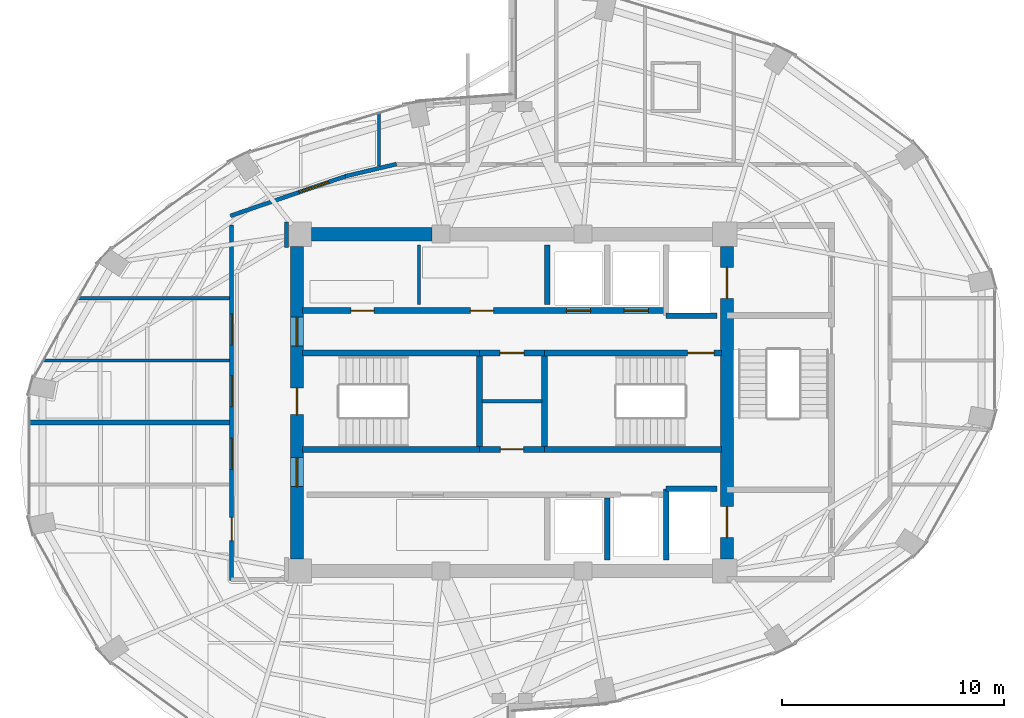
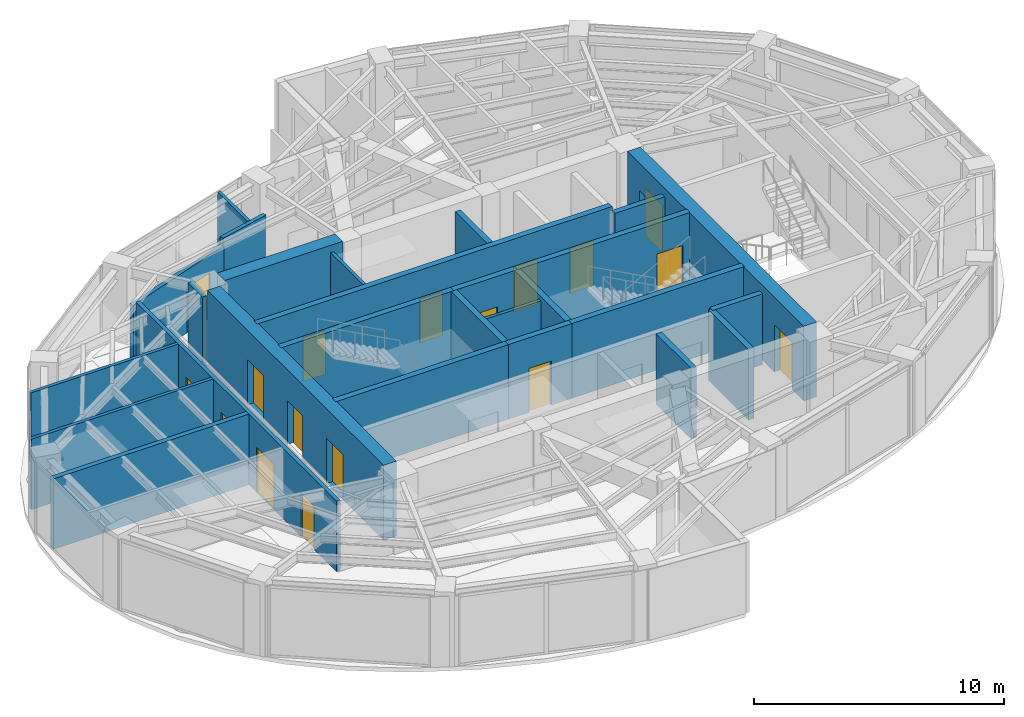
# One storey, part 19 of 23: 27 walls, 17 doors, 17 openings.
"""IFC4 building model written with IfcOpenShell, lengths in metres."""

from ifc_helpers import new_model, si_unit, direction, frame, frame_2d, origin, place, context, subcontext, project, spatial, rectangle, extrude, material, layer, layer_set, type_object, element, fill, save


model = new_model("IFC4")

# Units and contexts
model_context = context("Model", 3, precision=1e-05, world=origin(), true_north=direction((0.0, 1.0)))
body_context = subcontext(model_context, "Body", "Model", "MODEL_VIEW")
ifc_project = project(units=[si_unit("LENGTHUNIT", "METRE"), si_unit("AREAUNIT", "SQUARE_METRE"), si_unit("VOLUMEUNIT", "CUBIC_METRE"), si_unit("PLANEANGLEUNIT", "RADIAN"), si_unit("MASSUNIT", "GRAM", prefix="KILO")], contexts=[model_context])

# Site, building, storey
site_placement = place(None, origin())
site = spatial("IfcSite", under=ifc_project, at=site_placement, CompositionType="ELEMENT")
building_placement = place(site_placement, origin())
building = spatial("IfcBuilding", under=site, at=building_placement, Name="Lazwardi Medical Tower", CompositionType="ELEMENT")
storey_placement = place(building_placement, frame((0.0, 0.0, 202.1279296875)))
storey = spatial("IfcBuildingStorey", under=building, at=storey_placement, Name="L52", CompositionType="ELEMENT", Elevation=202.1279296875)

# Wall, opening, door
ifc_material_1 = material(Name="Fire-rated gypsum board on steel stud", Category="steel")
ifc_layer_1 = layer(ifc_material_1, 0.179931640625)
ifc_layer_set_1 = layer_set([ifc_layer_1], Name="Fire-rated gypsum board on steel stud")
wall_type_1 = type_object("IfcWallType", Name="WL-COR-180", PredefinedType="PARTITIONING", material=ifc_layer_set_1)
wall_1_placement = place(storey_placement, frame((23.294189453125, 36.422119140625, 0.0), z_axis=(0.0, 0.0, 1.0), x_axis=(0.945493277461, 0.325641616316, 0.0)))
wall_1 = element("IfcWall", 1, at=wall_1_placement, inside=storey, type_object=wall_type_1, Name="L52 Corridor partition 1", PredefinedType="PARTITIONING", context=body_context, shape_type="SweptSolid", body=[
    extrude(rectangle(XDim=5.5615234375, YDim=0.179931640625, at=frame_2d((2.78076171875, 0.0))), origin(), (0.0, 0.0, 1.0), 3.072998046875),
])
opening_1_placement = place(wall_1_placement, frame((3.28076171875, 0.0, 0.0)))
opening_1 = element("IfcOpeningElement", 2, at=opening_1_placement, cuts=wall_1, Name="Opening D-L52-021", PredefinedType="OPENING", context=body_context, shape_type="SweptSolid", body=[
    extrude(rectangle(XDim=1.39990234375, YDim=2.199951171875, at=frame_2d((0.699951171875, 1.10009765625))), frame((0.0, 0.099853515625, 0.0), z_axis=(0.0, -1.0, 0.0), x_axis=(1.0, 0.0, 0.0)), (0.0, 0.0, 1.0), 0.199951171875),
])
ifc_material_2 = material(Name="Anti-microbial laminate hospital leaf")
door_type_1 = type_object("IfcDoorType", Name="DR-BED-1400", OperationType="NOTDEFINED", PredefinedType="DOOR", material=ifc_material_2)
door_1_placement = place(opening_1_placement, origin())
door_1 = element("IfcDoor", 3, at=door_1_placement, inside=storey, type_object=door_type_1, Name="L52 Patient Bedroom Door 11", OperationType="SINGLE_SWING_LEFT", OverallHeight=2.199951171875, OverallWidth=1.39990234375, PredefinedType="DOOR", context=body_context, shape_type="SweptSolid", body=[
    extrude(rectangle(XDim=1.39990234375, YDim=2.199951171875, at=frame_2d((0.699951171875, 1.10009765625))), frame((0.0, 0.02490234375, 0.0), z_axis=(0.0, -1.0, 0.0), x_axis=(1.0, 0.0, 0.0)), (0.0, 0.0, 1.0), 0.050048828125),
])
fill(opening_1, door_1)

# Walls
wall_2_placement = place(storey_placement, frame((28.475830078125, 38.2109375, 0.0), z_axis=(0.0, 0.0, 1.0), x_axis=(0.973030562203, 0.230676234189, 0.0)))
element("IfcWall", 4, at=wall_2_placement, inside=storey, type_object=wall_type_1, Name="L52 Corridor partition 2", PredefinedType="PARTITIONING", context=body_context, shape_type="SweptSolid", body=[
    extrude(rectangle(XDim=2.377197265625, YDim=0.179931640625, at=frame_2d((1.1884765625, 0.0))), origin(), (0.0, 0.0, 1.0), 3.447998046875),
])
wall_3_placement = place(storey_placement, frame((25.830078125, 36.139892578125, 0.0), z_axis=(0.0, 0.0, 1.0), x_axis=(0.0, -1.0, 0.0)))
element("IfcWall", 5, at=wall_3_placement, inside=storey, type_object=wall_type_1, Name="L52 Corridor partition 7", PredefinedType="PARTITIONING", context=body_context, shape_type="SweptSolid", body=[
    extrude(rectangle(XDim=1.14990234375, YDim=0.179931640625, at=frame_2d((0.574951171875, 0.0))), origin(), (0.0, 0.0, 1.0), 3.447998046875),
])

# Wall, openings, doors
wall_4_placement = place(storey_placement, frame((23.35009765625, 19.97998046875, 0.0), z_axis=(0.0, 0.0, 1.0), x_axis=(0.0, 1.0, 0.0)))
wall_4 = element("IfcWall", 6, at=wall_4_placement, inside=storey, type_object=wall_type_1, Name="L52 Corridor partition 10", PredefinedType="PARTITIONING", context=body_context, shape_type="SweptSolid", body=[
    extrude(rectangle(XDim=16.04248046875, YDim=0.179931640625, at=frame_2d((8.021240234375, 0.0))), origin(), (0.0, 0.0, 1.0), 3.447998046875),
])
opening_2_placement = place(wall_4_placement, frame((5.00244140625, 0.0, 0.0)))
opening_2 = element("IfcOpeningElement", 7, at=opening_2_placement, cuts=wall_4, Name="Opening D-L52-011", PredefinedType="OPENING", context=body_context, shape_type="SweptSolid", body=[
    extrude(rectangle(XDim=1.39990234375, YDim=2.199951171875, at=frame_2d((0.699951171875, 1.10009765625))), frame((0.0, 0.099853515625, 0.0), z_axis=(0.0, -1.0, 0.0), x_axis=(1.0, 0.0, 0.0)), (0.0, 0.0, 1.0), 0.199951171875),
])
opening_3_placement = place(wall_4_placement, frame((1.7939453125, 0.0, 0.0)))
opening_3 = element("IfcOpeningElement", 8, at=opening_3_placement, cuts=wall_4, Name="Opening D-L52-012", PredefinedType="OPENING", context=body_context, shape_type="SweptSolid", body=[
    extrude(rectangle(XDim=1.050048828125, YDim=2.14990234375, at=frame_2d((0.52490234375, 1.074951171875))), frame((0.0, 0.099853515625, 0.0), z_axis=(0.0, -1.0, 0.0), x_axis=(1.0, 0.0, 0.0)), (0.0, 0.0, 1.0), 0.199951171875),
])
opening_4_placement = place(wall_4_placement, frame((10.6201171875, 0.0, 0.0)))
opening_4 = element("IfcOpeningElement", 9, at=opening_4_placement, cuts=wall_4, Name="Opening D-L52-022", PredefinedType="OPENING", context=body_context, shape_type="SweptSolid", body=[
    extrude(rectangle(XDim=1.39990234375, YDim=2.199951171875, at=frame_2d((0.699951171875, 1.10009765625))), frame((0.0, 0.099853515625, 0.0), z_axis=(0.0, -1.0, 0.0), x_axis=(1.0, 0.0, 0.0)), (0.0, 0.0, 1.0), 0.199951171875),
])
opening_5_placement = place(wall_4_placement, frame((7.83740234375, 0.0, 0.0)))
opening_5 = element("IfcOpeningElement", 10, at=opening_5_placement, cuts=wall_4, Name="Opening D-L52-023", PredefinedType="OPENING", context=body_context, shape_type="SweptSolid", body=[
    extrude(rectangle(XDim=1.39990234375, YDim=2.199951171875, at=frame_2d((0.699951171875, 1.10009765625))), frame((0.0, 0.099853515625, 0.0), z_axis=(0.0, -1.0, 0.0), x_axis=(1.0, 0.0, 0.0)), (0.0, 0.0, 1.0), 0.199951171875),
])
door_2_placement = place(opening_2_placement, origin())
door_2 = element("IfcDoor", 11, at=door_2_placement, inside=storey, type_object=door_type_1, Name="L52 Inpatient Ward Door 01", OperationType="SINGLE_SWING_RIGHT", OverallHeight=2.199951171875, OverallWidth=1.39990234375, PredefinedType="DOOR", context=body_context, shape_type="SweptSolid", body=[
    extrude(rectangle(XDim=1.39990234375, YDim=2.199951171875, at=frame_2d((0.699951171875, 1.10009765625))), frame((0.0, 0.02490234375, 0.0), z_axis=(0.0, -1.0, 0.0), x_axis=(1.0, 0.0, 0.0)), (0.0, 0.0, 1.0), 0.050048828125),
])
fill(opening_2, door_2)
door_3_placement = place(opening_4_placement, origin())
door_3 = element("IfcDoor", 12, at=door_3_placement, inside=storey, type_object=door_type_1, Name="L52 Outpatient Clinic Door 12", OperationType="SINGLE_SWING_RIGHT", OverallHeight=2.199951171875, OverallWidth=1.39990234375, PredefinedType="DOOR", context=body_context, shape_type="SweptSolid", body=[
    extrude(rectangle(XDim=1.39990234375, YDim=2.199951171875, at=frame_2d((0.699951171875, 1.10009765625))), frame((0.0, 0.02490234375, 0.0), z_axis=(0.0, -1.0, 0.0), x_axis=(1.0, 0.0, 0.0)), (0.0, 0.0, 1.0), 0.050048828125),
])
fill(opening_4, door_3)
door_4_placement = place(opening_5_placement, origin())
door_4 = element("IfcDoor", 13, at=door_4_placement, inside=storey, type_object=door_type_1, Name="L52 Outpatient Clinic Door 13", OperationType="SINGLE_SWING_LEFT", OverallHeight=2.199951171875, OverallWidth=1.39990234375, PredefinedType="DOOR", context=body_context, shape_type="SweptSolid", body=[
    extrude(rectangle(XDim=1.39990234375, YDim=2.199951171875, at=frame_2d((0.699951171875, 1.10009765625))), frame((0.0, 0.02490234375, 0.0), z_axis=(0.0, -1.0, 0.0), x_axis=(1.0, 0.0, 0.0)), (0.0, 0.0, 1.0), 0.050048828125),
])
fill(opening_5, door_4)
door_type_2 = type_object("IfcDoorType", Name="DR-CLN-1050", OperationType="NOTDEFINED", PredefinedType="DOOR", material=ifc_material_2)
door_5_placement = place(opening_3_placement, origin())
door_5 = element("IfcDoor", 14, at=door_5_placement, inside=storey, type_object=door_type_2, Name="L52 Clinical Specialist Office Door 02", OperationType="SINGLE_SWING_LEFT", OverallHeight=2.14990234375, OverallWidth=1.050048828125, PredefinedType="DOOR", context=body_context, shape_type="SweptSolid", body=[
    extrude(rectangle(XDim=1.050048828125, YDim=2.14990234375, at=frame_2d((0.52490234375, 1.074951171875))), frame((0.0, 0.02490234375, 0.0), z_axis=(0.0, -1.0, 0.0), x_axis=(1.0, 0.0, 0.0)), (0.0, 0.0, 1.0), 0.050048828125),
])
fill(opening_3, door_5)

ifc_material_3 = material(Name="Concrete C60/75", Category="concrete")
ifc_layer_2 = layer(ifc_material_3, 0.60009765625)
ifc_layer_set_2 = layer_set([ifc_layer_2], Name="Concrete C60/75")
wall_type_2 = type_object("IfcWallType", Name="WL-CORE-600", PredefinedType="SHEAR", material=ifc_layer_set_2)
wall_5_placement = place(storey_placement, frame((26.300048828125, 20.949951171875, 0.0), z_axis=(0.0, 0.0, 1.0), x_axis=(0.0, 1.0, 0.0)))
wall_5 = element("IfcWall", 15, at=wall_5_placement, inside=storey, type_object=wall_type_2, Name="Core wall CW-S3 west L52", PredefinedType="SHEAR", context=body_context, shape_type="SweptSolid", body=[
    extrude(rectangle(XDim=14.10009765625, YDim=0.60009765625, at=frame_2d((7.050048828125, 0.0))), origin(), (0.0, 0.0, 1.0), 3.64794921875),
])
opening_6_placement = place(wall_5_placement, frame((6.5, 0.0, 0.0)))
opening_6 = element("IfcOpeningElement", 16, at=opening_6_placement, cuts=wall_5, Name="Opening D-L52-024", PredefinedType="OPENING", context=body_context, shape_type="SweptSolid", body=[
    extrude(rectangle(XDim=1.199951171875, YDim=2.14990234375, at=frame_2d((0.60009765625, 1.074951171875))), frame((0.0, 0.31005859375, 0.0), z_axis=(0.0, -1.0, 0.0), x_axis=(1.0, 0.0, 0.0)), (0.0, 0.0, 1.0), 0.6201171875),
])
opening_7_placement = place(wall_5_placement, frame((9.60009765625, 0.0, 0.0)))
opening_7 = element("IfcOpeningElement", 17, at=opening_7_placement, cuts=wall_5, Name="Opening D-L52-009", PredefinedType="OPENING", context=body_context, shape_type="SweptSolid", body=[
    extrude(rectangle(XDim=1.300048828125, YDim=2.199951171875, at=frame_2d((0.64990234375, 1.10009765625))), frame((0.0, 0.31005859375, 0.0), z_axis=(0.0, -1.0, 0.0), x_axis=(1.0, 0.0, 0.0)), (0.0, 0.0, 1.0), 0.6201171875),
])
opening_8_placement = place(wall_5_placement, frame((3.260009765625, 0.0, 0.0)))
opening_8 = element("IfcOpeningElement", 18, at=opening_8_placement, cuts=wall_5, Name="Opening D-L52-010", PredefinedType="OPENING", context=body_context, shape_type="SweptSolid", body=[
    extrude(rectangle(XDim=1.300048828125, YDim=2.199951171875, at=frame_2d((0.64990234375, 1.10009765625))), frame((0.0, 0.31005859375, 0.0), z_axis=(0.0, -1.0, 0.0), x_axis=(1.0, 0.0, 0.0)), (0.0, 0.0, 1.0), 0.6201171875),
])
ifc_material_4 = material(Name="Fire-rated steel leaf and frame", Category="steel")
door_type_3 = type_object("IfcDoorType", Name="DR-FFL-1300", OperationType="NOTDEFINED", PredefinedType="DOOR", material=ifc_material_4)
door_6_placement = place(opening_7_placement, origin())
door_6 = element("IfcDoor", 19, at=door_6_placement, inside=storey, type_object=door_type_3, Name="L52 North Lift Lobby Door", OperationType="SINGLE_SWING_RIGHT", OverallHeight=2.199951171875, OverallWidth=1.300048828125, PredefinedType="DOOR", context=body_context, shape_type="SweptSolid", body=[
    extrude(rectangle(XDim=1.300048828125, YDim=2.199951171875, at=frame_2d((0.64990234375, 1.10009765625))), frame((0.0, 0.02490234375, 0.0), z_axis=(0.0, -1.0, 0.0), x_axis=(1.0, 0.0, 0.0)), (0.0, 0.0, 1.0), 0.050048828125),
])
fill(opening_7, door_6)
door_7_placement = place(opening_8_placement, origin())
door_7 = element("IfcDoor", 20, at=door_7_placement, inside=storey, type_object=door_type_3, Name="L52 South Lift Lobby Door", OperationType="SINGLE_SWING_LEFT", OverallHeight=2.199951171875, OverallWidth=1.300048828125, PredefinedType="DOOR", context=body_context, shape_type="SweptSolid", body=[
    extrude(rectangle(XDim=1.300048828125, YDim=2.199951171875, at=frame_2d((0.64990234375, 1.10009765625))), frame((0.0, 0.02490234375, 0.0), z_axis=(0.0, -1.0, 0.0), x_axis=(1.0, 0.0, 0.0)), (0.0, 0.0, 1.0), 0.050048828125),
])
fill(opening_8, door_7)
door_type_4 = type_object("IfcDoorType", Name="DR-STR-1200", OperationType="NOTDEFINED", PredefinedType="DOOR", material=ifc_material_4)
door_8_placement = place(opening_6_placement, origin())
door_8 = element("IfcDoor", 21, at=door_8_placement, inside=storey, type_object=door_type_4, Name="L52 Exit Stair ST1 Door", OperationType="SINGLE_SWING_RIGHT", OverallHeight=2.14990234375, OverallWidth=1.199951171875, PredefinedType="DOOR", context=body_context, shape_type="SweptSolid", body=[
    extrude(rectangle(XDim=1.199951171875, YDim=2.14990234375, at=frame_2d((0.60009765625, 1.074951171875))), frame((0.0, 0.02490234375, 0.0), z_axis=(0.0, -1.0, 0.0), x_axis=(1.0, 0.0, 0.0)), (0.0, 0.0, 1.0), 0.050048828125),
])
fill(opening_6, door_8)

wall_6_placement = place(storey_placement, frame((45.699951171875, 20.949951171875, 0.0), z_axis=(0.0, 0.0, 1.0), x_axis=(0.0, 1.0, 0.0)))
wall_6 = element("IfcWall", 22, at=wall_6_placement, inside=storey, type_object=wall_type_2, Name="Core wall CW-S3 east L52", PredefinedType="SHEAR", context=body_context, shape_type="SweptSolid", body=[
    extrude(rectangle(XDim=14.10009765625, YDim=0.60009765625, at=frame_2d((7.050048828125, 0.0))), origin(), (0.0, 0.0, 1.0), 3.64794921875),
])
opening_9_placement = place(wall_6_placement, frame((11.75, 0.0, 0.0)))
opening_9 = element("IfcOpeningElement", 23, at=opening_9_placement, cuts=wall_6, Name="Opening LD-L52-001", PredefinedType="OPENING", context=body_context, shape_type="SweptSolid", body=[
    extrude(rectangle(XDim=1.39990234375, YDim=2.300048828125, at=frame_2d((0.699951171875, 1.14990234375))), frame((0.0, 0.31005859375, 0.0), z_axis=(0.0, -1.0, 0.0), x_axis=(1.0, 0.0, 0.0)), (0.0, 0.0, 1.0), 0.6201171875),
])
opening_10_placement = place(wall_6_placement, frame((0.949951171875, 0.0, 0.0)))
opening_10 = element("IfcOpeningElement", 24, at=opening_10_placement, cuts=wall_6, Name="Opening LD-L52-002", PredefinedType="OPENING", context=body_context, shape_type="SweptSolid", body=[
    extrude(rectangle(XDim=1.39990234375, YDim=2.300048828125, at=frame_2d((0.699951171875, 1.14990234375))), frame((0.0, 0.31005859375, 0.0), z_axis=(0.0, -1.0, 0.0), x_axis=(1.0, 0.0, 0.0)), (0.0, 0.0, 1.0), 0.6201171875),
])
ifc_material_5 = material(Name="Brushed stainless steel bed-lift landing door", Category="steel")
door_type_5 = type_object("IfcDoorType", Name="DR-LFT-1400", OperationType="NOTDEFINED", PredefinedType="DOOR", material=ifc_material_5)
door_9_placement = place(opening_9_placement, origin())
door_9 = element("IfcDoor", 25, at=door_9_placement, inside=storey, type_object=door_type_5, Name="L52 Lift Landing Door FL-01", OperationType="SLIDING_TO_LEFT", OverallHeight=2.300048828125, OverallWidth=1.39990234375, PredefinedType="DOOR", context=body_context, shape_type="SweptSolid", body=[
    extrude(rectangle(XDim=1.39990234375, YDim=2.300048828125, at=frame_2d((0.699951171875, 1.14990234375))), frame((0.0, 0.02490234375, 0.0), z_axis=(0.0, -1.0, 0.0), x_axis=(1.0, 0.0, 0.0)), (0.0, 0.0, 1.0), 0.050048828125),
])
fill(opening_9, door_9)
door_10_placement = place(opening_10_placement, origin())
door_10 = element("IfcDoor", 26, at=door_10_placement, inside=storey, type_object=door_type_5, Name="L52 Lift Landing Door FL-02", OperationType="SLIDING_TO_LEFT", OverallHeight=2.300048828125, OverallWidth=1.39990234375, PredefinedType="DOOR", context=body_context, shape_type="SweptSolid", body=[
    extrude(rectangle(XDim=1.39990234375, YDim=2.300048828125, at=frame_2d((0.699951171875, 1.14990234375))), frame((0.0, 0.02490234375, 0.0), z_axis=(0.0, -1.0, 0.0), x_axis=(1.0, 0.0, 0.0)), (0.0, 0.0, 1.0), 0.050048828125),
])
fill(opening_10, door_10)

# Walls
wall_7_placement = place(storey_placement, frame((26.949951171875, 35.60009765625, 0.0), z_axis=(0.0, 0.0, 1.0), x_axis=(1.0, 0.0, 0.0)))
element("IfcWall", 27, at=wall_7_placement, inside=storey, type_object=wall_type_2, Name="Core wall CW-S3 N1 L52", PredefinedType="SHEAR", context=body_context, shape_type="SweptSolid", body=[
    extrude(rectangle(XDim=5.449951171875, YDim=0.60009765625, at=frame_2d((2.72509765625, 0.0))), origin(), (0.0, 0.0, 1.0), 3.64794921875),
])
ifc_material_6 = material(Name="Autoclaved aerated concrete blockwork", Category="masonry")
ifc_layer_3 = layer(ifc_material_6, 0.25)
ifc_layer_set_3 = layer_set([ifc_layer_3], Name="Autoclaved aerated concrete blockwork")
wall_type_3 = type_object("IfcWallType", Name="WL-SHAFT-250", PredefinedType="SOLIDWALL", material=ifc_layer_set_3)
wall_8_placement = place(storey_placement, frame((42.949951171875, 31.919921875, 0.0), z_axis=(0.0, 0.0, 1.0), x_axis=(1.0, 0.0, 0.0)))
element("IfcWall", 28, at=wall_8_placement, inside=storey, type_object=wall_type_3, Name="L52 FL-01 South shaft wall", PredefinedType="SOLIDWALL", context=body_context, shape_type="SweptSolid", body=[
    extrude(rectangle(XDim=2.300048828125, YDim=0.25, at=frame_2d((1.14990234375, 0.0))), origin(), (0.0, 0.0, 1.0), 3.447998046875),
])
wall_9_placement = place(storey_placement, frame((42.949951171875, 20.89990234375, 0.0), z_axis=(0.0, 0.0, 1.0), x_axis=(0.0, 1.0, 0.0)))
element("IfcWall", 29, at=wall_9_placement, inside=storey, type_object=wall_type_3, Name="L52 FL-02 West shaft wall", PredefinedType="SOLIDWALL", context=body_context, shape_type="SweptSolid", body=[
    extrude(rectangle(XDim=3.2001953125, YDim=0.25, at=frame_2d((1.60009765625, 0.0))), origin(), (0.0, 0.0, 1.0), 3.447998046875),
])
wall_10_placement = place(storey_placement, frame((42.949951171875, 24.10009765625, 0.0), z_axis=(0.0, 0.0, 1.0), x_axis=(1.0, 0.0, 0.0)))
element("IfcWall", 30, at=wall_10_placement, inside=storey, type_object=wall_type_3, Name="L52 FL-02 North shaft wall", PredefinedType="SOLIDWALL", context=body_context, shape_type="SweptSolid", body=[
    extrude(rectangle(XDim=2.300048828125, YDim=0.25, at=frame_2d((1.14990234375, 0.0))), origin(), (0.0, 0.0, 1.0), 3.447998046875),
])
wall_11_placement = place(storey_placement, frame((37.60009765625, 32.419921875, 0.0), z_axis=(0.0, 0.0, 1.0), x_axis=(0.0, 1.0, 0.0)))
element("IfcWall", 31, at=wall_11_placement, inside=storey, type_object=wall_type_3, Name="L52 North hoistway divider", PredefinedType="SOLIDWALL", context=body_context, shape_type="SweptSolid", body=[
    extrude(rectangle(XDim=2.68017578125, YDim=0.25, at=frame_2d((1.340087890625, 0.0))), origin(), (0.0, 0.0, 1.0), 3.447998046875),
])
wall_12_placement = place(storey_placement, frame((40.300048828125, 20.89990234375, 0.0), z_axis=(0.0, 0.0, 1.0), x_axis=(0.0, 1.0, 0.0)))
element("IfcWall", 32, at=wall_12_placement, inside=storey, type_object=wall_type_3, Name="L52 South hoistway divider", PredefinedType="SOLIDWALL", context=body_context, shape_type="SweptSolid", body=[
    extrude(rectangle(XDim=2.800048828125, YDim=0.25, at=frame_2d((1.39990234375, 0.0))), origin(), (0.0, 0.0, 1.0), 3.447998046875),
])
ifc_layer_4 = layer(ifc_material_1, 0.219970703125)
ifc_layer_set_4 = layer_set([ifc_layer_4], Name="Fire-rated gypsum board on steel stud")
wall_type_4 = type_object("IfcWallType", Name="WL-SMK-220", PredefinedType="PARTITIONING", material=ifc_layer_set_4)
wall_13_placement = place(storey_placement, frame((14.228271484375, 27.10009765625, 0.0), z_axis=(0.0, 0.0, 1.0), x_axis=(1.0, 0.0, 0.0)))
element("IfcWall", 33, at=wall_13_placement, inside=storey, type_object=wall_type_4, Name="L52 Room partition 2", PredefinedType="PARTITIONING", context=body_context, shape_type="SweptSolid", body=[
    extrude(rectangle(XDim=9.03173828125, YDim=0.219970703125, at=frame_2d((4.515869140625, 0.0))), origin(), (0.0, 0.0, 1.0), 3.447998046875),
])
ifc_material_7 = material(Name="Concrete C50/60", Category="concrete")
ifc_layer_5 = layer(ifc_material_7, 0.27001953125)
ifc_layer_set_5 = layer_set([ifc_layer_5], Name="Concrete C50/60")
wall_type_5 = type_object("IfcWallType", Name="WL-STR-250", PredefinedType="SHEAR", material=ifc_layer_set_5)
wall_14_placement = place(storey_placement, frame((26.550048828125, 30.235107421875, 0.0), z_axis=(0.0, 0.0, 1.0), x_axis=(1.0, 0.0, 0.0)))
element("IfcWall", 34, at=wall_14_placement, inside=storey, type_object=wall_type_5, Name="L52 ST1 North shear shaft wall SW-S1", PredefinedType="SHEAR", context=body_context, shape_type="SweptSolid", body=[
    extrude(rectangle(XDim=7.98486328125, YDim=0.27001953125, at=frame_2d((3.992431640625, 0.0))), origin(), (0.0, 0.0, 1.0), 3.64794921875),
])

# Wall, opening, door
wall_15_placement = place(storey_placement, frame((34.534912109375, 30.235107421875, 0.0), z_axis=(0.0, 0.0, 1.0), x_axis=(1.0, 0.0, 0.0)))
wall_15 = element("IfcWall", 35, at=wall_15_placement, inside=storey, type_object=wall_type_5, Name="L52 Core service North shear wall SW-S1", PredefinedType="SHEAR", context=body_context, shape_type="SweptSolid", body=[
    extrude(rectangle(XDim=2.93017578125, YDim=0.27001953125, at=frame_2d((1.465087890625, 0.0))), origin(), (0.0, 0.0, 1.0), 3.64794921875),
])
opening_11_placement = place(wall_15_placement, frame((0.9150390625, 0.0, 0.0)))
opening_11 = element("IfcOpeningElement", 36, at=opening_11_placement, cuts=wall_15, Name="Opening D-L52-002", PredefinedType="OPENING", context=body_context, shape_type="SweptSolid", body=[
    extrude(rectangle(XDim=1.10009765625, YDim=2.14990234375, at=frame_2d((0.550048828125, 1.074951171875))), frame((0.0, 0.14501953125, 0.0), z_axis=(0.0, -1.0, 0.0), x_axis=(1.0, 0.0, 0.0)), (0.0, 0.0, 1.0), 0.2900390625),
])
door_type_6 = type_object("IfcDoorType", Name="DR-PLT-1100", OperationType="NOTDEFINED", PredefinedType="DOOR", material=ifc_material_4)
door_11_placement = place(opening_11_placement, origin())
door_11 = element("IfcDoor", 37, at=door_11_placement, inside=storey, type_object=door_type_6, Name="L52 Electrical Room Door", OperationType="SINGLE_SWING_LEFT", OverallHeight=2.14990234375, OverallWidth=1.10009765625, PredefinedType="DOOR", context=body_context, shape_type="SweptSolid", body=[
    extrude(rectangle(XDim=1.10009765625, YDim=2.14990234375, at=frame_2d((0.550048828125, 1.074951171875))), frame((0.0, 0.02490234375, 0.0), z_axis=(0.0, -1.0, 0.0), x_axis=(1.0, 0.0, 0.0)), (0.0, 0.0, 1.0), 0.050048828125),
])
fill(opening_11, door_11)

wall_16_placement = place(storey_placement, frame((37.465087890625, 30.235107421875, 0.0), z_axis=(0.0, 0.0, 1.0), x_axis=(1.0, 0.0, 0.0)))
wall_16 = element("IfcWall", 38, at=wall_16_placement, inside=storey, type_object=wall_type_5, Name="L52 ST2 North shear shaft wall SW-S1", PredefinedType="SHEAR", context=body_context, shape_type="SweptSolid", body=[
    extrude(rectangle(XDim=7.98486328125, YDim=0.27001953125, at=frame_2d((3.992431640625, 0.0))), origin(), (0.0, 0.0, 1.0), 3.64794921875),
])
opening_12_placement = place(wall_16_placement, frame((6.455078125, 0.0, 0.0)))
opening_12 = element("IfcOpeningElement", 39, at=opening_12_placement, cuts=wall_16, Name="Opening D-L52-025", PredefinedType="OPENING", context=body_context, shape_type="SweptSolid", body=[
    extrude(rectangle(XDim=1.199951171875, YDim=2.14990234375, at=frame_2d((0.60009765625, 1.074951171875))), frame((0.0, 0.14501953125, 0.0), z_axis=(0.0, -1.0, 0.0), x_axis=(1.0, 0.0, 0.0)), (0.0, 0.0, 1.0), 0.2900390625),
])
door_12_placement = place(opening_12_placement, origin())
door_12 = element("IfcDoor", 40, at=door_12_placement, inside=storey, type_object=door_type_4, Name="L52 Exit Stair ST2 Door", OperationType="SINGLE_SWING_LEFT", OverallHeight=2.14990234375, OverallWidth=1.199951171875, PredefinedType="DOOR", context=body_context, shape_type="SweptSolid", body=[
    extrude(rectangle(XDim=1.199951171875, YDim=2.14990234375, at=frame_2d((0.60009765625, 1.074951171875))), frame((0.0, 0.02490234375, 0.0), z_axis=(0.0, -1.0, 0.0), x_axis=(1.0, 0.0, 0.0)), (0.0, 0.0, 1.0), 0.050048828125),
])
fill(opening_12, door_12)

# Wall
wall_17_placement = place(storey_placement, frame((26.550048828125, 25.885009765625, 0.0), z_axis=(0.0, 0.0, 1.0), x_axis=(1.0, 0.0, 0.0)))
element("IfcWall", 41, at=wall_17_placement, inside=storey, type_object=wall_type_5, Name="L52 ST1 South shear shaft wall SW-S1", PredefinedType="SHEAR", context=body_context, shape_type="SweptSolid", body=[
    extrude(rectangle(XDim=7.98486328125, YDim=0.27001953125, at=frame_2d((3.992431640625, 0.0))), origin(), (0.0, 0.0, 1.0), 3.64794921875),
])

# Wall, opening, door
wall_18_placement = place(storey_placement, frame((34.534912109375, 25.885009765625, 0.0), z_axis=(0.0, 0.0, 1.0), x_axis=(1.0, 0.0, 0.0)))
wall_18 = element("IfcWall", 42, at=wall_18_placement, inside=storey, type_object=wall_type_5, Name="L52 Core service South shear wall SW-S1", PredefinedType="SHEAR", context=body_context, shape_type="SweptSolid", body=[
    extrude(rectangle(XDim=2.93017578125, YDim=0.27001953125, at=frame_2d((1.465087890625, 0.0))), origin(), (0.0, 0.0, 1.0), 3.64794921875),
])
opening_13_placement = place(wall_18_placement, frame((0.93994140625, 0.0, 0.0)))
opening_13 = element("IfcOpeningElement", 43, at=opening_13_placement, cuts=wall_18, Name="Opening D-L52-001", PredefinedType="OPENING", context=body_context, shape_type="SweptSolid", body=[
    extrude(rectangle(XDim=1.050048828125, YDim=2.14990234375, at=frame_2d((0.52490234375, 1.074951171875))), frame((0.0, 0.14501953125, 0.0), z_axis=(0.0, -1.0, 0.0), x_axis=(1.0, 0.0, 0.0)), (0.0, 0.0, 1.0), 0.2900390625),
])
door_13_placement = place(opening_13_placement, origin())
door_13 = element("IfcDoor", 44, at=door_13_placement, inside=storey, type_object=door_type_2, Name="L52 Dirty Sluice Door", OperationType="SINGLE_SWING_RIGHT", OverallHeight=2.14990234375, OverallWidth=1.050048828125, PredefinedType="DOOR", context=body_context, shape_type="SweptSolid", body=[
    extrude(rectangle(XDim=1.050048828125, YDim=2.14990234375, at=frame_2d((0.52490234375, 1.074951171875))), frame((0.0, 0.02490234375, 0.0), z_axis=(0.0, -1.0, 0.0), x_axis=(1.0, 0.0, 0.0)), (0.0, 0.0, 1.0), 0.050048828125),
])
fill(opening_13, door_13)

# Walls
wall_19_placement = place(storey_placement, frame((37.465087890625, 25.885009765625, 0.0), z_axis=(0.0, 0.0, 1.0), x_axis=(1.0, 0.0, 0.0)))
element("IfcWall", 45, at=wall_19_placement, inside=storey, type_object=wall_type_5, Name="L52 ST2 South shear shaft wall SW-S1", PredefinedType="SHEAR", context=body_context, shape_type="SweptSolid", body=[
    extrude(rectangle(XDim=7.98486328125, YDim=0.27001953125, at=frame_2d((3.992431640625, 0.0))), origin(), (0.0, 0.0, 1.0), 3.64794921875),
])
for number, where, z_axis, x_axis, name in (
    (46, (34.534912109375, 26.02001953125, 0.0), (0.0, 0.0, 1.0), (0.0, 1.0, 0.0), "L52 ST1 East shear shaft wall SW-S1"),
    (47, (37.465087890625, 26.02001953125, 0.0), (0.0, 0.0, 1.0), (0.0, 1.0, 0.0), "L52 ST2 West shear shaft wall SW-S1"),
):
    element("IfcWall", number, at=place(storey_placement, frame(where, z_axis=z_axis, x_axis=x_axis)), inside=storey, type_object=wall_type_5, Name=name, PredefinedType="SHEAR", context=body_context, shape_type="SweptSolid", body=[
        extrude(rectangle(XDim=4.080078125, YDim=0.27001953125, at=frame_2d((2.0400390625, 0.0))), origin(), (0.0, 0.0, 1.0), 3.64794921875),
    ])

# Wall, openings, doors
wall_20_placement = place(storey_placement, frame((26.550048828125, 32.14990234375, 0.0), z_axis=(0.0, 0.0, 1.0), x_axis=(1.0, 0.0, 0.0)))
wall_20 = element("IfcWall", 48, at=wall_20_placement, inside=storey, type_object=wall_type_5, Name="L52 North lift bank shear wall SW-S1", PredefinedType="SHEAR", context=body_context, shape_type="SweptSolid", body=[
    extrude(rectangle(XDim=16.39990234375, YDim=0.27001953125, at=frame_2d((8.199951171875, 0.0))), origin(), (0.0, 0.0, 1.0), 3.64794921875),
])
opening_14_placement = place(wall_20_placement, frame((2.175048828125, 0.0, 0.0)))
opening_14 = element("IfcOpeningElement", 49, at=opening_14_placement, cuts=wall_20, Name="Opening D-L52-004", PredefinedType="OPENING", context=body_context, shape_type="SweptSolid", body=[
    extrude(rectangle(XDim=1.050048828125, YDim=2.14990234375, at=frame_2d((0.52490234375, 1.074951171875))), frame((0.0, 0.14501953125, 0.0), z_axis=(0.0, -1.0, 0.0), x_axis=(1.0, 0.0, 0.0)), (0.0, 0.0, 1.0), 0.2900390625),
])
opening_15_placement = place(wall_20_placement, frame((7.574951171875, 0.0, 0.0)))
opening_15 = element("IfcOpeningElement", 50, at=opening_15_placement, cuts=wall_20, Name="Opening D-L52-005", PredefinedType="OPENING", context=body_context, shape_type="SweptSolid", body=[
    extrude(rectangle(XDim=1.050048828125, YDim=2.14990234375, at=frame_2d((0.52490234375, 1.074951171875))), frame((0.0, 0.14501953125, 0.0), z_axis=(0.0, -1.0, 0.0), x_axis=(1.0, 0.0, 0.0)), (0.0, 0.0, 1.0), 0.2900390625),
])
opening_16_placement = place(wall_20_placement, frame((11.89990234375, 0.0, 0.0)))
opening_16 = element("IfcOpeningElement", 51, at=opening_16_placement, cuts=wall_20, Name="Opening LD-L52-004", PredefinedType="OPENING", context=body_context, shape_type="SweptSolid", body=[
    extrude(rectangle(XDim=1.10009765625, YDim=2.199951171875, at=frame_2d((0.550048828125, 1.10009765625))), frame((0.0, 0.14501953125, 0.0), z_axis=(0.0, -1.0, 0.0), x_axis=(1.0, 0.0, 0.0)), (0.0, 0.0, 1.0), 0.2900390625),
])
opening_17_placement = place(wall_20_placement, frame((14.5, 0.0, 0.0)))
opening_17 = element("IfcOpeningElement", 52, at=opening_17_placement, cuts=wall_20, Name="Opening LD-L52-005", PredefinedType="OPENING", context=body_context, shape_type="SweptSolid", body=[
    extrude(rectangle(XDim=1.10009765625, YDim=2.199951171875, at=frame_2d((0.550048828125, 1.10009765625))), frame((0.0, 0.14501953125, 0.0), z_axis=(0.0, -1.0, 0.0), x_axis=(1.0, 0.0, 0.0)), (0.0, 0.0, 1.0), 0.2900390625),
])
door_14_placement = place(opening_14_placement, origin())
door_14 = element("IfcDoor", 53, at=door_14_placement, inside=storey, type_object=door_type_2, Name="L52 Core Consult Door", OperationType="SINGLE_SWING_RIGHT", OverallHeight=2.14990234375, OverallWidth=1.050048828125, PredefinedType="DOOR", context=body_context, shape_type="SweptSolid", body=[
    extrude(rectangle(XDim=1.050048828125, YDim=2.14990234375, at=frame_2d((0.52490234375, 1.074951171875))), frame((0.0, 0.02490234375, 0.0), z_axis=(0.0, -1.0, 0.0), x_axis=(1.0, 0.0, 0.0)), (0.0, 0.0, 1.0), 0.050048828125),
])
fill(opening_14, door_14)
door_15_placement = place(opening_15_placement, origin())
door_15 = element("IfcDoor", 54, at=door_15_placement, inside=storey, type_object=door_type_2, Name="L52 Core Pharmacy Door", OperationType="SINGLE_SWING_LEFT", OverallHeight=2.14990234375, OverallWidth=1.050048828125, PredefinedType="DOOR", context=body_context, shape_type="SweptSolid", body=[
    extrude(rectangle(XDim=1.050048828125, YDim=2.14990234375, at=frame_2d((0.52490234375, 1.074951171875))), frame((0.0, 0.02490234375, 0.0), z_axis=(0.0, -1.0, 0.0), x_axis=(1.0, 0.0, 0.0)), (0.0, 0.0, 1.0), 0.050048828125),
])
fill(opening_15, door_15)
ifc_material_8 = material(Name="Brushed bronze stainless steel landing door", Category="steel")
door_type_7 = type_object("IfcDoorType", Name="DR-LFT-1100", OperationType="NOTDEFINED", PredefinedType="DOOR", material=ifc_material_8)
door_16_placement = place(opening_16_placement, origin())
door_16 = element("IfcDoor", 55, at=door_16_placement, inside=storey, type_object=door_type_7, Name="L52 Lift Landing Door PL-09", OperationType="SLIDING_TO_LEFT", OverallHeight=2.199951171875, OverallWidth=1.10009765625, PredefinedType="DOOR", context=body_context, shape_type="SweptSolid", body=[
    extrude(rectangle(XDim=1.10009765625, YDim=2.199951171875, at=frame_2d((0.550048828125, 1.10009765625))), frame((0.0, 0.02490234375, 0.0), z_axis=(0.0, -1.0, 0.0), x_axis=(1.0, 0.0, 0.0)), (0.0, 0.0, 1.0), 0.050048828125),
])
fill(opening_16, door_16)
door_17_placement = place(opening_17_placement, origin())
door_17 = element("IfcDoor", 56, at=door_17_placement, inside=storey, type_object=door_type_7, Name="L52 Lift Landing Door PL-10", OperationType="SLIDING_TO_LEFT", OverallHeight=2.199951171875, OverallWidth=1.10009765625, PredefinedType="DOOR", context=body_context, shape_type="SweptSolid", body=[
    extrude(rectangle(XDim=1.10009765625, YDim=2.199951171875, at=frame_2d((0.550048828125, 1.10009765625))), frame((0.0, 0.02490234375, 0.0), z_axis=(0.0, -1.0, 0.0), x_axis=(1.0, 0.0, 0.0)), (0.0, 0.0, 1.0), 0.050048828125),
])
fill(opening_17, door_17)

# Walls
ifc_material_9 = material(Name="Acoustic gypsum board partition")
ifc_layer_6 = layer(ifc_material_9, 0.14990234375)
ifc_layer_set_6 = layer_set([ifc_layer_6], Name="Acoustic gypsum board partition")
wall_type_6 = type_object("IfcWallType", Name="WL-WRD-150", PredefinedType="PARTITIONING", material=ifc_layer_set_6)
wall_21_placement = place(storey_placement, frame((34.64990234375, 28.06005859375, 0.0), z_axis=(0.0, 0.0, 1.0), x_axis=(1.0, 0.0, 0.0)))
element("IfcWall", 57, at=wall_21_placement, inside=storey, type_object=wall_type_6, Name="L52 Core service divider", PredefinedType="PARTITIONING", context=body_context, shape_type="SweptSolid", body=[
    extrude(rectangle(XDim=2.7001953125, YDim=0.14990234375, at=frame_2d((1.35009765625, 0.0))), origin(), (0.0, 0.0, 1.0), 3.447998046875),
])
wall_22_placement = place(storey_placement, frame((31.800048828125, 32.419921875, 0.0), z_axis=(0.0, 0.0, 1.0), x_axis=(0.0, 1.0, 0.0)))
element("IfcWall", 58, at=wall_22_placement, inside=storey, type_object=wall_type_6, Name="L52 Freed bay2 N split", PredefinedType="PARTITIONING", context=body_context, shape_type="SweptSolid", body=[
    extrude(rectangle(XDim=2.68017578125, YDim=0.14990234375, at=frame_2d((1.340087890625, 0.0))), origin(), (0.0, 0.0, 1.0), 3.447998046875),
])
wall_23_placement = place(storey_placement, frame((14.86083984375, 29.89990234375, 0.0), z_axis=(0.0, 0.0, 1.0), x_axis=(1.0, 0.0, 0.0)))
element("IfcWall", 59, at=wall_23_placement, inside=storey, type_object=wall_type_6, Name="L52 Room partition 3", PredefinedType="PARTITIONING", context=body_context, shape_type="SweptSolid", body=[
    extrude(rectangle(XDim=8.399169921875, YDim=0.14990234375, at=frame_2d((4.19970703125, 0.0))), origin(), (0.0, 0.0, 1.0), 3.447998046875),
])
wall_24_placement = place(storey_placement, frame((16.44287109375, 32.699951171875, 0.0), z_axis=(0.0, 0.0, 1.0), x_axis=(1.0, 0.0, 0.0)))
element("IfcWall", 60, at=wall_24_placement, inside=storey, type_object=wall_type_6, Name="L52 Room partition 4", PredefinedType="PARTITIONING", context=body_context, shape_type="SweptSolid", body=[
    extrude(rectangle(XDim=6.817138671875, YDim=0.14990234375, at=frame_2d((3.40869140625, 0.0))), origin(), (0.0, 0.0, 1.0), 3.447998046875),
])
wall_25_placement = place(storey_placement, frame((30.0, 38.663818359375, 0.0), z_axis=(0.0, 0.0, 1.0), x_axis=(0.0, 1.0, 0.0)))
element("IfcWall", 61, at=wall_25_placement, inside=storey, type_object=wall_type_6, Name="L52 Room partition 9", PredefinedType="PARTITIONING", context=body_context, shape_type="SweptSolid", body=[
    extrude(rectangle(XDim=2.384033203125, YDim=0.14990234375, at=frame_2d((1.19189453125, 0.0))), origin(), (0.0, 0.0, 1.0), 3.447998046875),
])

save(model, "model.ifc")
